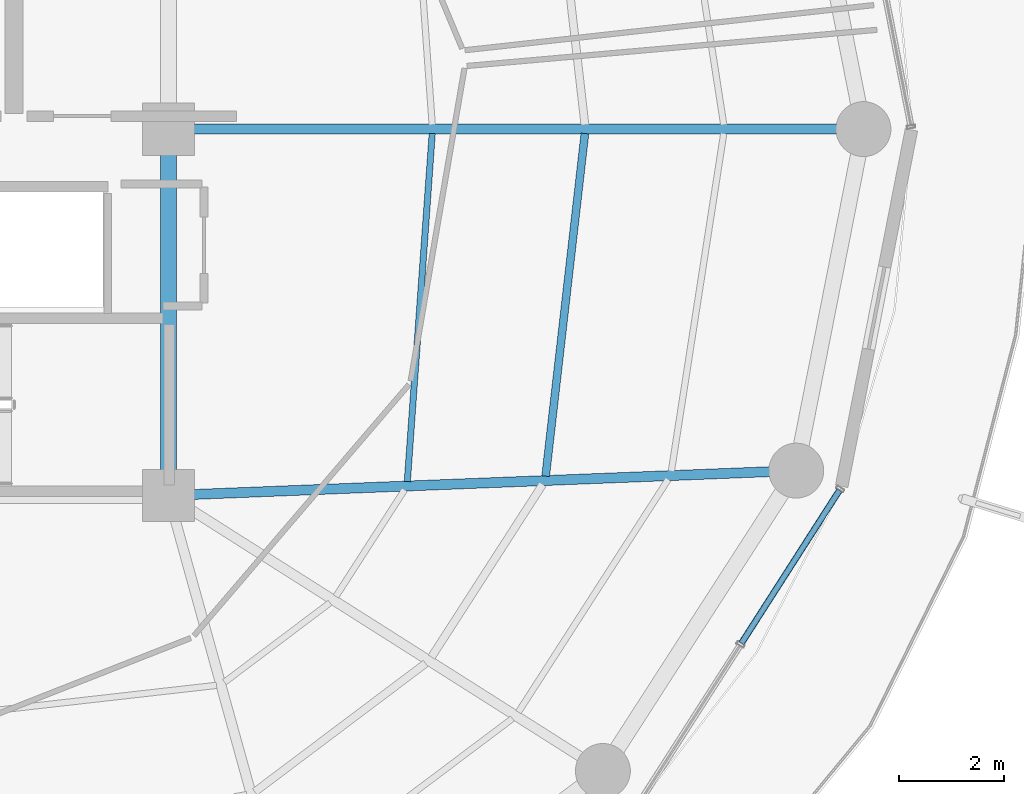
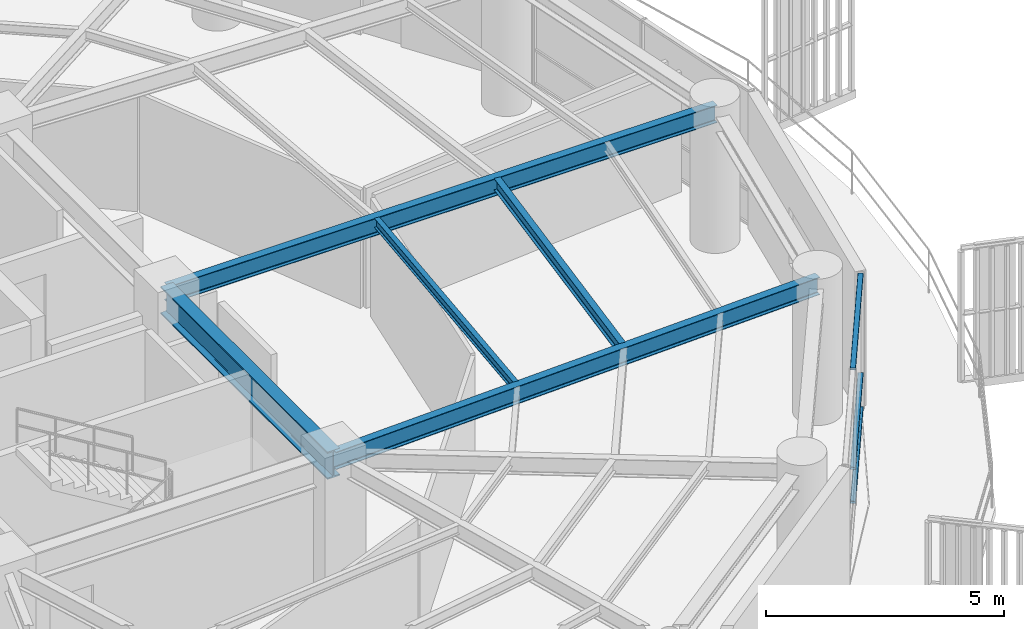
# One storey, part 12 of 30: 5 beams, 3 members, 1 element without a shape of its own.
"""IFC4 building model written with IfcOpenShell, lengths in metres."""

from ifc_helpers import new_model, si_unit, direction, frame, origin, origin_2d, place, context, subcontext, project, spatial, hollow_rectangle, i_section, extrude, material, layer, layer_set, material_profile, profile_set, type_object, element, aggregate, save


model = new_model("IFC4")

# Units and contexts
model_context = context("Model", 3, precision=1e-05, world=origin(), true_north=direction((0.0, 1.0)))
body_context = subcontext(model_context, "Body", "Model", "MODEL_VIEW")
ifc_project = project(units=[si_unit("LENGTHUNIT", "METRE"), si_unit("AREAUNIT", "SQUARE_METRE"), si_unit("VOLUMEUNIT", "CUBIC_METRE"), si_unit("PLANEANGLEUNIT", "RADIAN"), si_unit("MASSUNIT", "GRAM", prefix="KILO")], contexts=[model_context])

# Site, building, storey
site_placement = place(None, origin())
site = spatial("IfcSite", under=ifc_project, at=site_placement, CompositionType="ELEMENT")
building_placement = place(site_placement, origin())
building = spatial("IfcBuilding", under=site, at=building_placement, Name="Kelanora Arch Commons", CompositionType="ELEMENT")
storey_placement = place(building_placement, frame((0.0, 0.0, 234.449951171875)))
storey = spatial("IfcBuildingStorey", under=building, at=storey_placement, Name="L60", CompositionType="ELEMENT", Elevation=234.449951171875)

# Beams
ifc_material_1 = material(Name="Steel S355", Category="steel")
ifc_material_profile_1 = material_profile(ifc_material_1, i_section(OverallWidth=0.300048828125, OverallDepth=0.699951171875, WebThickness=0.01708984375, FlangeThickness=0.031982421875, FilletRadius=0.027099609375, at=origin_2d()), Name="HEB700")
ifc_profile_set_1 = profile_set([ifc_material_profile_1], Name="Steel S355")
beam_type_1 = type_object("IfcBeamType", Name="BM-CORE-HDR", PredefinedType="BEAM", material=ifc_profile_set_1)
beam_1_placement = place(storey_placement, frame((82.0, 51.0, 3.14013671875), z_axis=(0.0, 1.0, 0.0), x_axis=(-1.0, 0.0, 0.0)))
element("IfcBeam", 1, at=beam_1_placement, inside=storey, type_object=beam_type_1, Name="Core Header Beam 03 L60", PredefinedType="BEAM", context=body_context, shape_type="SweptSolid", body=[
    extrude(i_section(OverallWidth=0.300048828125, OverallDepth=0.699951171875, WebThickness=0.01708984375, FlangeThickness=0.031982421875, FilletRadius=0.027099609375, at=origin_2d()), origin(), (0.0, 0.0, 1.0), 7.0),
])
ifc_material_profile_2 = material_profile(ifc_material_1, i_section(OverallWidth=0.14990234375, OverallDepth=0.300048828125, WebThickness=0.007080078125, FlangeThickness=0.0107421875, FilletRadius=0.014892578125, at=origin_2d()), Name="IPE300")
ifc_profile_set_2 = profile_set([ifc_material_profile_2], Name="Steel S355")
beam_type_2 = type_object("IfcBeamType", Name="BM-JST-01", PredefinedType="JOIST", material=ifc_profile_set_2)
beam_2_placement = place(storey_placement, frame((89.207763671875, 51.368896484375, 3.340087890625), z_axis=(0.113891408177, 0.993493204377, 0.0), x_axis=(-0.993493204377, 0.113891408177, 0.0)))
element("IfcBeam", 2, at=beam_2_placement, inside=storey, type_object=beam_type_2, Name="Secondary Chord Joist BJB-34 L60", PredefinedType="JOIST", context=body_context, shape_type="SweptSolid", body=[
    extrude(i_section(OverallWidth=0.14990234375, OverallDepth=0.300048828125, WebThickness=0.007080078125, FlangeThickness=0.0107421875, FilletRadius=0.014892578125, at=origin_2d()), origin(), (0.0, 0.0, 1.0), 6.589599609375),
])
ifc_material_profile_3 = material_profile(ifc_material_1, i_section(OverallWidth=0.1201171875, OverallDepth=0.239990234375, WebThickness=0.006103515625, FlangeThickness=0.009765625, FilletRadius=0.014892578125, at=origin_2d()), Name="IPE240")
ifc_profile_set_3 = profile_set([ifc_material_profile_3], Name="Steel S355")
beam_type_3 = type_object("IfcBeamType", Name="BM-JST-02", PredefinedType="JOIST", material=ifc_profile_set_3)
beam_3_placement = place(storey_placement, frame((86.564697265625, 51.264892578125, 3.3701171875), z_axis=(0.07133032136, 0.997452748382, 0.0), x_axis=(-0.997452748382, 0.07133032136, 0.0)))
element("IfcBeam", 3, at=beam_3_placement, inside=storey, type_object=beam_type_3, Name="Secondary Chord Joist BJA-34 L60", PredefinedType="JOIST", context=body_context, shape_type="SweptSolid", body=[
    extrude(i_section(OverallWidth=0.1201171875, OverallDepth=0.239990234375, WebThickness=0.006103515625, FlangeThickness=0.009765625, FilletRadius=0.014892578125, at=origin_2d()), origin(), (0.0, 0.0, 1.0), 6.66748046875),
])
ifc_material_profile_4 = material_profile(ifc_material_1, i_section(OverallWidth=0.18994140625, OverallDepth=0.449951171875, WebThickness=0.009521484375, FlangeThickness=0.0146484375, FilletRadius=0.02099609375, at=origin_2d()), Name="IPE450")
ifc_profile_set_4 = profile_set([ifc_material_profile_4], Name="Steel S355")
beam_type_4 = type_object("IfcBeamType", Name="BM-RAD-Z4", PredefinedType="BEAM", material=ifc_profile_set_4)
beam_4_placement = place(storey_placement, frame((82.0, 58.0, 3.26513671875), z_axis=(1.0, 0.0, 0.0), x_axis=(0.0, 1.0, 0.0)))
element("IfcBeam", 4, at=beam_4_placement, inside=storey, type_object=beam_type_4, Name="Radial Floor Girder BR-00 L60", PredefinedType="BEAM", context=body_context, shape_type="SweptSolid", body=[
    extrude(i_section(OverallWidth=0.18994140625, OverallDepth=0.449951171875, WebThickness=0.009521484375, FlangeThickness=0.0146484375, FilletRadius=0.02099609375, at=origin_2d()), origin(), (0.0, 0.0, 1.0), 13.280029296875),
])
beam_5_placement = place(storey_placement, frame((82.0, 51.0, 3.26513671875), z_axis=(0.999219142585, 0.03951082246, 0.0), x_axis=(-0.03951082246, 0.999219142585, 0.0)))
element("IfcBeam", 5, at=beam_5_placement, inside=storey, type_object=beam_type_4, Name="Radial Floor Girder BR-34 L60", PredefinedType="BEAM", context=body_context, shape_type="SweptSolid", body=[
    extrude(i_section(OverallWidth=0.18994140625, OverallDepth=0.449951171875, WebThickness=0.009521484375, FlangeThickness=0.0146484375, FilletRadius=0.02099609375, at=origin_2d()), origin(), (0.0, 0.0, 1.0), 12.005859375),
])

# Curtain wall, members
ifc_material_2 = material(Name="Terracotta ceramic-fritted low-E glass and aluminium", Category="masonry")
ifc_layer = layer(ifc_material_2, 0.175048828125)
ifc_layer_set = layer_set([ifc_layer], Name="Terracotta ceramic-fritted low-E glass and aluminium")
curtain_wall_type = type_object("IfcCurtainWallType", Name="CW-SYS-02", PredefinedType="NOTDEFINED", material=ifc_layer_set)
curtain_wall_placement = place(storey_placement, origin())
curtain_wall = element("IfcCurtainWall", 6, at=curtain_wall_placement, inside=storey, type_object=curtain_wall_type, Name="Unitised Curtain Wall L60-B16", PredefinedType="NOTDEFINED")
ifc_material_3 = material(Name="Powder-coated aluminium terracotta", Category="masonry")
ifc_material_profile_5 = material_profile(ifc_material_3, hollow_rectangle(XDim=0.1201171875, YDim=0.06005859375, WallThickness=0.0048828125, InnerFilletRadius=0.0048828125, OuterFilletRadius=0.010009765625, at=origin_2d()), Name="CWT120x60")
ifc_profile_set_5 = profile_set([ifc_material_profile_5], Name="Powder-coated aluminium terracotta")
member_type = type_object("IfcMemberType", Name="CWT-STD", PredefinedType="USERDEFINED", material=ifc_profile_set_5)
member_1_placement = place(storey_placement, frame((92.949951171875, 48.17724609375, 0.030029296875), z_axis=(0.539579095642, 0.84193491408, 0.0), x_axis=(-0.84193491408, 0.539579095642, 0.0)))
member_1 = element("IfcMember", 7, at=member_1_placement, type_object=member_type, Name="CW-02 transom 2.1", ObjectType="TRANSOM", PredefinedType="USERDEFINED", context=body_context, shape_type="SweptSolid", body=[
    extrude(hollow_rectangle(XDim=0.1201171875, YDim=0.06005859375, WallThickness=0.0048828125, InnerFilletRadius=0.0048828125, OuterFilletRadius=0.010009765625, at=origin_2d()), origin(), (0.0, 0.0, 1.0), 3.46728515625),
])
member_2_placement = place(storey_placement, frame((92.949951171875, 48.17724609375, 0.900146484375), z_axis=(0.539579095642, 0.84193491408, 0.0), x_axis=(-0.84193491408, 0.539579095642, 0.0)))
member_2 = element("IfcMember", 8, at=member_2_placement, type_object=member_type, Name="CW-02 transom 2.2", ObjectType="TRANSOM", PredefinedType="USERDEFINED", context=body_context, shape_type="SweptSolid", body=[
    extrude(hollow_rectangle(XDim=0.1201171875, YDim=0.06005859375, WallThickness=0.0048828125, InnerFilletRadius=0.0048828125, OuterFilletRadius=0.010009765625, at=origin_2d()), origin(), (0.0, 0.0, 1.0), 3.46728515625),
])
member_3_placement = place(storey_placement, frame((92.949951171875, 48.17724609375, 3.445068359375), z_axis=(0.539579095642, 0.84193491408, 0.0), x_axis=(-0.84193491408, 0.539579095642, 0.0)))
member_3 = element("IfcMember", 9, at=member_3_placement, type_object=member_type, Name="CW-02 transom 2.3", ObjectType="TRANSOM", PredefinedType="USERDEFINED", context=body_context, shape_type="SweptSolid", body=[
    extrude(hollow_rectangle(XDim=0.1201171875, YDim=0.06005859375, WallThickness=0.0048828125, InnerFilletRadius=0.0048828125, OuterFilletRadius=0.010009765625, at=origin_2d()), origin(), (0.0, 0.0, 1.0), 3.46728515625),
])
aggregate(curtain_wall, [member_1, member_2, member_3])

save(model, "model.ifc")
